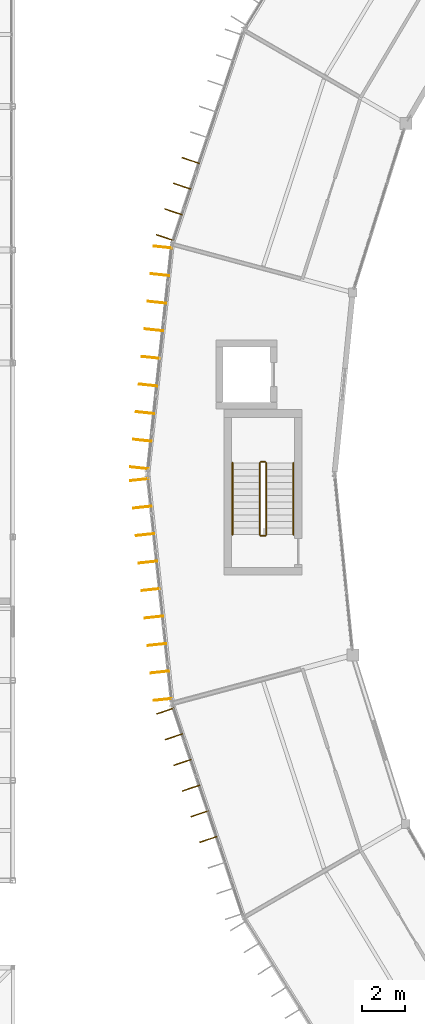
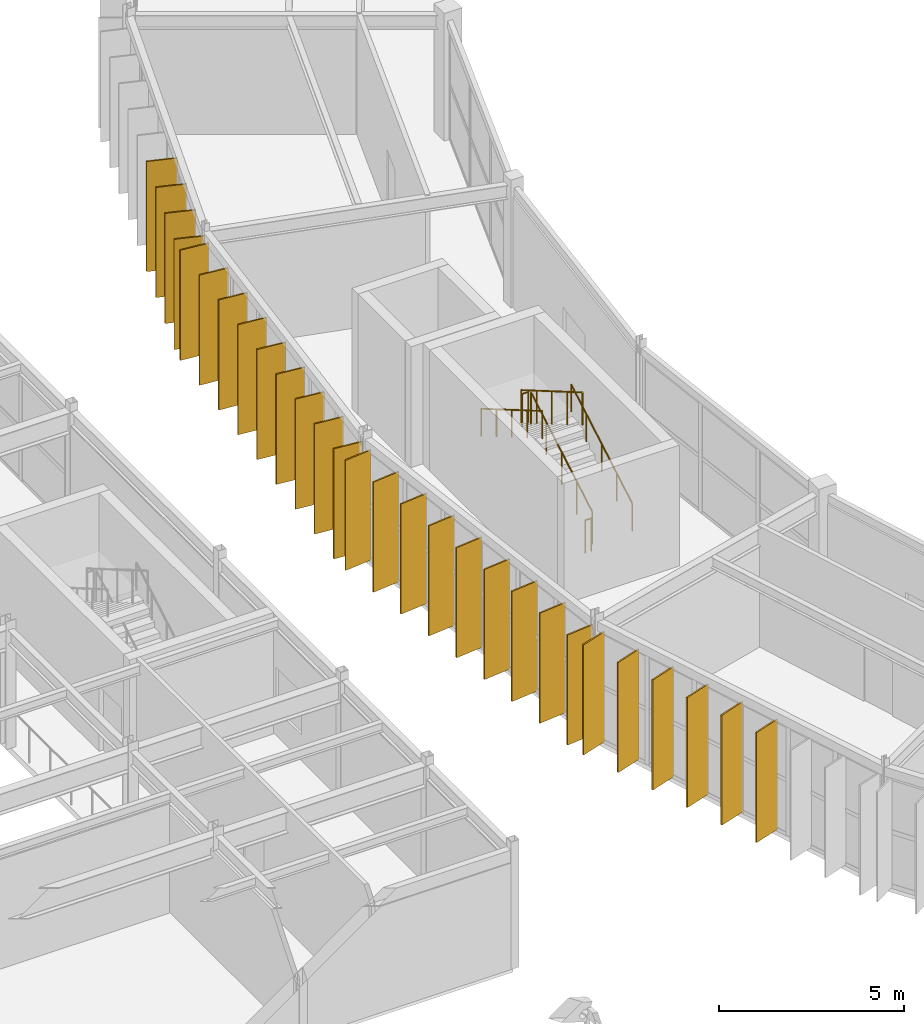
# One storey, part 149 of 157: 28 shading devices, 6 railings.
"""IFC4 building model written with IfcOpenShell, lengths in metres."""

from ifc_helpers import new_model, si_unit, direction, frame, origin, origin_2d, place, context, subcontext, project, spatial, rectangle, circle, extrude, material, layer, layer_set, type_object, element, save


model = new_model("IFC4")

# Units and contexts
model_context = context("Model", 3, precision=1e-05, world=origin(), true_north=direction((0.0, 1.0)))
body_context = subcontext(model_context, "Body", "Model", "MODEL_VIEW")
ifc_project = project(units=[si_unit("LENGTHUNIT", "METRE"), si_unit("AREAUNIT", "SQUARE_METRE"), si_unit("VOLUMEUNIT", "CUBIC_METRE"), si_unit("PLANEANGLEUNIT", "RADIAN"), si_unit("MASSUNIT", "GRAM", prefix="KILO")], contexts=[model_context])

# Site, building, storey
site_placement = place(None, origin())
site = spatial("IfcSite", under=ifc_project, at=site_placement, CompositionType="ELEMENT")
building_placement = place(site_placement, origin())
building = spatial("IfcBuilding", under=site, at=building_placement, Name="Karori Crest Natural Sciences Institute", CompositionType="ELEMENT")
storey_placement = place(building_placement, frame((0.0, 0.0, 13.300048828125)))
storey = spatial("IfcBuildingStorey", under=building, at=storey_placement, Name="L03", CompositionType="ELEMENT", Elevation=13.300048828125)

# Railings
ifc_material_1 = material(Name="Stainless steel 316 tubular handrail", Category="steel")
railing_type_1 = type_object("IfcRailingType", Name="RLT-HND", PredefinedType="HANDRAIL", material=ifc_material_1)
railing_1_placement = place(storey_placement, frame((40.10009765625, 47.10009765625, 0.175048828125)))
element("IfcRailing", 1, at=railing_1_placement, inside=storey, type_object=railing_type_1, Name="Stair handrail RL-0078", PredefinedType="HANDRAIL", context=body_context, shape_type="SweptSolid", body=[
    extrude(circle(Radius=0.02392578125, at=origin_2d()), frame((0.0, 0.0, 0.90087890625), z_axis=(0.0, 0.863788172461, 0.503855131081), x_axis=(-1.0, 0.0, 0.0)), (0.0, 0.0, 1.0), 3.820068359375),
    extrude(circle(Radius=0.02099609375, at=origin_2d()), origin(), (0.0, 0.0, 1.0), 0.876953125),
    extrude(circle(Radius=0.02099609375, at=origin_2d()), frame((0.0, 0.824951171875, 0.481201171875)), (0.0, 0.0, 1.0), 0.876953125),
    extrude(circle(Radius=0.02099609375, at=origin_2d()), frame((0.0, 1.64990234375, 0.96240234375)), (0.0, 0.0, 1.0), 0.876953125),
    extrude(circle(Radius=0.02099609375, at=origin_2d()), frame((0.0, 2.474853515625, 1.443603515625)), (0.0, 0.0, 1.0), 0.876953125),
    extrude(circle(Radius=0.02099609375, at=origin_2d()), frame((0.0, 3.2998046875, 1.9248046875)), (0.0, 0.0, 1.0), 0.876953125),
])
railing_2_placement = place(storey_placement, frame((37.300048828125, 50.39990234375, 2.27490234375)))
element("IfcRailing", 2, at=railing_2_placement, inside=storey, type_object=railing_type_1, Name="Stair handrail RL-0079", PredefinedType="HANDRAIL", context=body_context, shape_type="SweptSolid", body=[
    extrude(circle(Radius=0.02392578125, at=origin_2d()), frame((0.0, 0.0, 0.90087890625), z_axis=(0.0, -0.863760357493, 0.503902812876), x_axis=(1.0, 0.0, 0.0)), (0.0, 0.0, 1.0), 3.8203125),
    extrude(circle(Radius=0.02099609375, at=origin_2d()), origin(), (0.0, 0.0, 1.0), 0.876953125),
    extrude(circle(Radius=0.02099609375, at=origin_2d()), frame((0.0, -0.824951171875, 0.481201171875)), (0.0, 0.0, 1.0), 0.876953125),
    extrude(circle(Radius=0.02099609375, at=origin_2d()), frame((0.0, -1.64990234375, 0.96240234375)), (0.0, 0.0, 1.0), 0.876953125),
    extrude(circle(Radius=0.02099609375, at=origin_2d()), frame((0.0, -2.474853515625, 1.44384765625)), (0.0, 0.0, 1.0), 0.876953125),
    extrude(circle(Radius=0.02099609375, at=origin_2d()), frame((0.0, -3.2998046875, 1.925048828125)), (0.0, 0.0, 1.0), 0.876953125),
])
ifc_material_2 = material(Name="Stainless steel 316 stair guard", Category="steel")
railing_type_2 = type_object("IfcRailingType", Name="RLT-STG", PredefinedType="GUARDRAIL", material=ifc_material_2)
railing_3_placement = place(storey_placement, frame((38.85009765625, 47.10009765625, 0.175048828125)))
element("IfcRailing", 3, at=railing_3_placement, inside=storey, type_object=railing_type_2, Name="Stair guard RL-0074", PredefinedType="GUARDRAIL", context=body_context, shape_type="SweptSolid", body=[
    extrude(circle(Radius=0.02392578125, at=origin_2d()), frame((0.0, 0.0, 1.076171875), z_axis=(0.0, 0.863788172461, 0.503855131081), x_axis=(-1.0, 0.0, 0.0)), (0.0, 0.0, 1.0), 3.820068359375),
    extrude(circle(Radius=0.02099609375, at=origin_2d()), origin(), (0.0, 0.0, 1.0), 1.052001953125),
    extrude(circle(Radius=0.02099609375, at=origin_2d()), frame((0.0, 0.824951171875, 0.481201171875)), (0.0, 0.0, 1.0), 1.052001953125),
    extrude(circle(Radius=0.02099609375, at=origin_2d()), frame((0.0, 1.64990234375, 0.96240234375)), (0.0, 0.0, 1.0), 1.052001953125),
    extrude(circle(Radius=0.02099609375, at=origin_2d()), frame((0.0, 2.474853515625, 1.443603515625)), (0.0, 0.0, 1.0), 1.052001953125),
    extrude(circle(Radius=0.02099609375, at=origin_2d()), frame((0.0, 3.2998046875, 1.9248046875)), (0.0, 0.0, 1.0), 1.052001953125),
])
railing_4_placement = place(storey_placement, frame((38.800048828125, 50.449951171875, 2.099853515625)))
element("IfcRailing", 4, at=railing_4_placement, inside=storey, type_object=railing_type_2, Name="Stair guard RL-0075", PredefinedType="GUARDRAIL", context=body_context, shape_type="SweptSolid", body=[
    extrude(circle(Radius=0.02392578125, at=origin_2d()), frame((0.0, 0.0, 1.076171875), z_axis=(-1.0, 0.0, 0.0), x_axis=(0.0, -1.0, 0.0)), (0.0, 0.0, 1.0), 0.199951171875),
    extrude(circle(Radius=0.02099609375, at=origin_2d()), origin(), (0.0, 0.0, 1.0), 1.052001953125),
    extrude(circle(Radius=0.02099609375, at=origin_2d()), frame((-0.199951171875, 0.0, 0.0)), (0.0, 0.0, 1.0), 1.052001953125),
])
railing_5_placement = place(storey_placement, frame((38.550048828125, 50.39990234375, 2.27490234375)))
element("IfcRailing", 5, at=railing_5_placement, inside=storey, type_object=railing_type_2, Name="Stair guard RL-0076", PredefinedType="GUARDRAIL", context=body_context, shape_type="SweptSolid", body=[
    extrude(circle(Radius=0.02392578125, at=origin_2d()), frame((0.0, 0.0, 1.076171875), z_axis=(0.0, -0.863760357493, 0.503902812876), x_axis=(1.0, 0.0, 0.0)), (0.0, 0.0, 1.0), 3.8203125),
    extrude(circle(Radius=0.02099609375, at=origin_2d()), origin(), (0.0, 0.0, 1.0), 1.052001953125),
    extrude(circle(Radius=0.02099609375, at=origin_2d()), frame((0.0, -0.824951171875, 0.481201171875)), (0.0, 0.0, 1.0), 1.052001953125),
    extrude(circle(Radius=0.02099609375, at=origin_2d()), frame((0.0, -1.64990234375, 0.96240234375)), (0.0, 0.0, 1.0), 1.052001953125),
    extrude(circle(Radius=0.02099609375, at=origin_2d()), frame((0.0, -2.474853515625, 1.44384765625)), (0.0, 0.0, 1.0), 1.052001953125),
    extrude(circle(Radius=0.02099609375, at=origin_2d()), frame((0.0, -3.2998046875, 1.925048828125)), (0.0, 0.0, 1.0), 1.052001953125),
])
railing_6_placement = place(storey_placement, frame((38.800048828125, 47.050048828125, 0.0)))
element("IfcRailing", 6, at=railing_6_placement, inside=storey, type_object=railing_type_2, Name="Stair guard RL-0077", PredefinedType="GUARDRAIL", context=body_context, shape_type="SweptSolid", body=[
    extrude(circle(Radius=0.02392578125, at=origin_2d()), frame((0.0, 0.0, 1.076171875), z_axis=(-1.0, 0.0, 0.0), x_axis=(0.0, -1.0, 0.0)), (0.0, 0.0, 1.0), 0.199951171875),
    extrude(circle(Radius=0.02099609375, at=origin_2d()), origin(), (0.0, 0.0, 1.0), 1.052001953125),
    extrude(circle(Radius=0.02099609375, at=origin_2d()), frame((-0.199951171875, 0.0, 0.0)), (0.0, 0.0, 1.0), 1.052001953125),
])

# Shading devices
ifc_material_3 = material(Name="Anodised architectural aluminium 6063-T6", Category="aluminium")
ifc_layer = layer(ifc_material_3, 0.044921875, Name="Anodised architectural aluminium 6063-T6")
ifc_layer_set = layer_set([ifc_layer], Name="Anodised architectural aluminium 6063-T6")
shading_device_type = type_object("IfcShadingDeviceType", Name="SDT-FIN", PredefinedType="USERDEFINED", material=ifc_layer_set)
for number, where, z_axis, x_axis, name in (
    (7, (34.19384765625, 60.763916015625, 0.0), (0.0, 0.0, 1.0), (-0.948197867933, 0.317680347595, 0.0), "Vertical solar fin FN-0493"),
    (8, (34.589599609375, 61.94482421875, 0.0), (0.0, 0.0, 1.0), (-0.948197867933, 0.317680347595, 0.0), "Vertical solar fin FN-0494"),
    (9, (34.985107421875, 63.12548828125, 0.0), (0.0, 0.0, 1.0), (-0.948197867933, 0.317680347595, 0.0), "Vertical solar fin FN-0495"),
    (10, (35.380615234375, 64.306396484375, 0.0), (0.0, 0.0, 1.0), (-0.948197867933, 0.317680347595, 0.0), "Vertical solar fin FN-0496"),
    (11, (33.0166015625, 50.1708984375, 0.0), (0.0, 0.0, 1.0), (-0.994378303702, 0.105885736186, 0.0), "Vertical solar fin FN-0502"),
    (12, (33.151611328125, 51.440185546875, 0.0), (0.0, 0.0, 1.0), (-0.994378303702, 0.105885736186, 0.0), "Vertical solar fin FN-0503"),
    (13, (33.286865234375, 52.709228515625, 0.0), (0.0, 0.0, 1.0), (-0.994378303702, 0.105885736186, 0.0), "Vertical solar fin FN-0504"),
    (14, (33.422119140625, 53.978515625, 0.0), (0.0, 0.0, 1.0), (-0.994378303702, 0.105885736186, 0.0), "Vertical solar fin FN-0505"),
    (15, (33.55712890625, 55.247802734375, 0.0), (0.0, 0.0, 1.0), (-0.994378303702, 0.105885736186, 0.0), "Vertical solar fin FN-0506"),
    (16, (33.6923828125, 56.51708984375, 0.0), (0.0, 0.0, 1.0), (-0.994378303702, 0.105885736186, 0.0), "Vertical solar fin FN-0507"),
    (17, (33.827392578125, 57.7861328125, 0.0), (0.0, 0.0, 1.0), (-0.994378303702, 0.105885736186, 0.0), "Vertical solar fin FN-0508"),
    (18, (33.962646484375, 59.055419921875, 0.0), (0.0, 0.0, 1.0), (-0.994378303702, 0.105885736186, 0.0), "Vertical solar fin FN-0509"),
    (19, (34.09765625, 60.32470703125, 0.0), (0.0, 0.0, 1.0), (-0.994378303702, 0.105885736186, 0.0), "Vertical solar fin FN-0510"),
    (20, (34.0927734375, 39.521240234375, 0.0), (0.0, 0.0, 1.0), (-0.994378488506, -0.105884000668, 0.0), "Vertical solar fin FN-0511"),
    (21, (33.958251953125, 40.78466796875, 0.0), (0.0, 0.0, 1.0), (-0.994378488506, -0.105884000668, 0.0), "Vertical solar fin FN-0512"),
    (22, (33.82373046875, 42.048095703125, 0.0), (0.0, 0.0, 1.0), (-0.994378488506, -0.105884000668, 0.0), "Vertical solar fin FN-0513"),
    (23, (33.689208984375, 43.311767578125, 0.0), (0.0, 0.0, 1.0), (-0.994378488506, -0.105884000668, 0.0), "Vertical solar fin FN-0514"),
    (24, (33.5546875, 44.5751953125, 0.0), (0.0, 0.0, 1.0), (-0.994378488506, -0.105884000668, 0.0), "Vertical solar fin FN-0515"),
    (25, (33.420166015625, 45.838623046875, 0.0), (0.0, 0.0, 1.0), (-0.994378488506, -0.105884000668, 0.0), "Vertical solar fin FN-0516"),
    (26, (33.28564453125, 47.102294921875, 0.0), (0.0, 0.0, 1.0), (-0.994378488506, -0.105884000668, 0.0), "Vertical solar fin FN-0517"),
    (27, (33.15087890625, 48.36572265625, 0.0), (0.0, 0.0, 1.0), (-0.994378488506, -0.105884000668, 0.0), "Vertical solar fin FN-0518"),
    (28, (33.0166015625, 49.629150390625, 0.0), (0.0, 0.0, 1.0), (-0.994378488506, -0.105884000668, 0.0), "Vertical solar fin FN-0519"),
    (29, (36.187255859375, 33.086181640625, 0.0), (0.0, 0.0, 1.0), (-0.948197867933, -0.317680347595, 0.0), "Vertical solar fin FN-0523"),
    (30, (35.791748046875, 34.266845703125, 0.0), (0.0, 0.0, 1.0), (-0.948197867933, -0.317680347595, 0.0), "Vertical solar fin FN-0524"),
    (31, (35.39599609375, 35.447509765625, 0.0), (0.0, 0.0, 1.0), (-0.948197867933, -0.317680347595, 0.0), "Vertical solar fin FN-0525"),
    (32, (35.00048828125, 36.62841796875, 0.0), (0.0, 0.0, 1.0), (-0.948197867933, -0.317680347595, 0.0), "Vertical solar fin FN-0526"),
    (33, (34.60498046875, 37.80908203125, 0.0), (0.0, 0.0, 1.0), (-0.948197867933, -0.317680347595, 0.0), "Vertical solar fin FN-0527"),
    (34, (34.209228515625, 38.989990234375, 0.0), (0.0, 0.0, 1.0), (-0.948197867933, -0.317680347595, 0.0), "Vertical solar fin FN-0528"),
):
    element("IfcShadingDevice", number, at=place(storey_placement, frame(where, z_axis=z_axis, x_axis=x_axis)), inside=storey, type_object=shading_device_type, Name=name, ObjectType="SOLAR_FIN", PredefinedType="USERDEFINED", context=body_context, shape_type="SweptSolid", body=[
        extrude(rectangle(XDim=0.85009765625, YDim=0.044921875, at=origin_2d()), origin(), (0.0, 0.0, 1.0), 3.625),
    ])

save(model, "model.ifc")
